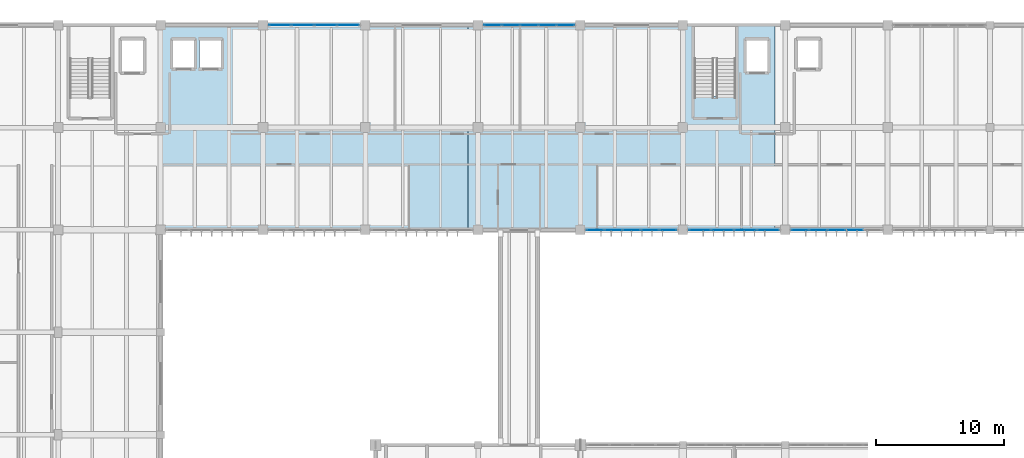
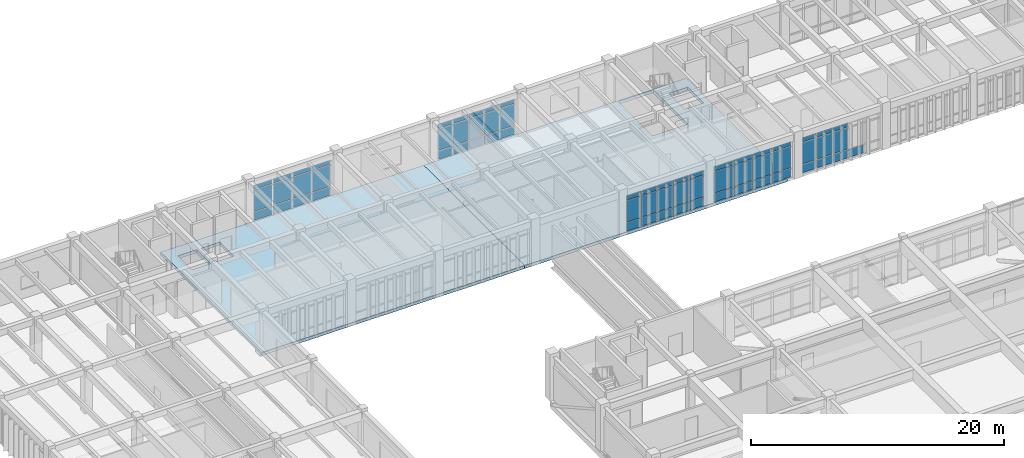
# One storey, part 41 of 79: 64 plates, 2 slabs, 5 elements without a shape of their own.
"""IFC4 building model written with IfcOpenShell, lengths in metres."""

from ifc_helpers import new_model, si_unit, direction, frame, origin, origin_2d, place, context, subcontext, project, spatial, polyline, rectangle, outline, extrude, material, layer, layer_set, type_object, element, aggregate, save


model = new_model("IFC4")

# Units and contexts
model_context = context("Model", 3, precision=1e-05, world=origin(), true_north=direction((0.0, 1.0)))
body_context = subcontext(model_context, "Body", "Model", "MODEL_VIEW")
ifc_project = project(units=[si_unit("LENGTHUNIT", "METRE"), si_unit("AREAUNIT", "SQUARE_METRE"), si_unit("VOLUMEUNIT", "CUBIC_METRE"), si_unit("PLANEANGLEUNIT", "RADIAN"), si_unit("MASSUNIT", "GRAM", prefix="KILO")], contexts=[model_context])

# Site, building, storey
site_placement = place(None, origin())
site = spatial("IfcSite", under=ifc_project, at=site_placement, CompositionType="ELEMENT")
building_placement = place(site_placement, origin())
building = spatial("IfcBuilding", under=site, at=building_placement, Name="Tlaxcora Railside Police Headquarters", CompositionType="ELEMENT")
storey_placement = place(building_placement, frame((0.0, 0.0, 9.0)))
storey = spatial("IfcBuildingStorey", under=building, at=storey_placement, Name="L02", CompositionType="ELEMENT", Elevation=9.0)

# Curtain wall, plates
ifc_material_1 = material(Name="Thermally broken low-E insulated glazing", Category="glass")
curtain_wall_type_1 = type_object("IfcCurtainWallType", Name="Unitised Curtain Wall Assembly CW-23", PredefinedType="NOTDEFINED", material=ifc_material_1)
curtain_wall_1_placement = place(storey_placement, origin())
curtain_wall_1 = element("IfcCurtainWall", 1, at=curtain_wall_1_placement, inside=storey, type_object=curtain_wall_type_1, Name="V5 L02 curtain wall 56", PredefinedType="NOTDEFINED")
ifc_layer_1 = layer(ifc_material_1, 0.0400390625, Name="Thermally broken low-E insulated glazing")
ifc_layer_set_1 = layer_set([ifc_layer_1], Name="Thermally broken low-E insulated glazing")
plate_type_1 = type_object("IfcPlateType", Name="Curtain Wall Infill Panel CW-17", PredefinedType="CURTAIN_PANEL", material=ifc_layer_set_1)
plate_1_placement = place(storey_placement, frame((63.159912109375, 76.800048828125, 0.080078125), z_axis=(0.0, 0.0, 1.0), x_axis=(1.0, 0.0, 0.0)))
plate_1 = element("IfcPlate", 2, at=plate_1_placement, type_object=plate_type_1, Name="CW panel 1.1", PredefinedType="CURTAIN_PANEL", context=body_context, shape_type="SweptSolid", body=[
    extrude(rectangle(XDim=1.31005859375, YDim=0.0400390625, at=origin_2d()), origin(), (0.0, 0.0, 1.0), 0.780029296875),
])
plate_2_placement = place(storey_placement, frame((63.159912109375, 76.800048828125, 0.93994140625), z_axis=(0.0, 0.0, 1.0), x_axis=(1.0, 0.0, 0.0)))
plate_2 = element("IfcPlate", 3, at=plate_2_placement, type_object=plate_type_1, Name="CW panel 1.2", PredefinedType="CURTAIN_PANEL", context=body_context, shape_type="SweptSolid", body=[
    extrude(rectangle(XDim=1.31005859375, YDim=0.0400390625, at=origin_2d()), origin(), (0.0, 0.0, 1.0), 2.0400390625),
])
plate_3_placement = place(storey_placement, frame((63.159912109375, 76.800048828125, 3.06005859375), z_axis=(0.0, 0.0, 1.0), x_axis=(1.0, 0.0, 0.0)))
plate_3 = element("IfcPlate", 4, at=plate_3_placement, type_object=plate_type_1, Name="CW panel 1.3", PredefinedType="CURTAIN_PANEL", context=body_context, shape_type="SweptSolid", body=[
    extrude(rectangle(XDim=1.31005859375, YDim=0.0400390625, at=origin_2d()), origin(), (0.0, 0.0, 1.0), 0.409912109375),
])
plate_4_placement = place(storey_placement, frame((64.570068359375, 76.800048828125, 0.080078125), z_axis=(0.0, 0.0, 1.0), x_axis=(1.0, 0.0, 0.0)))
plate_4 = element("IfcPlate", 5, at=plate_4_placement, type_object=plate_type_1, Name="CW panel 2.1", PredefinedType="CURTAIN_PANEL", context=body_context, shape_type="SweptSolid", body=[
    extrude(rectangle(XDim=1.35009765625, YDim=0.0400390625, at=origin_2d()), origin(), (0.0, 0.0, 1.0), 0.780029296875),
])
plate_5_placement = place(storey_placement, frame((64.570068359375, 76.800048828125, 0.93994140625), z_axis=(0.0, 0.0, 1.0), x_axis=(1.0, 0.0, 0.0)))
plate_5 = element("IfcPlate", 6, at=plate_5_placement, type_object=plate_type_1, Name="CW panel 2.2", PredefinedType="CURTAIN_PANEL", context=body_context, shape_type="SweptSolid", body=[
    extrude(rectangle(XDim=1.35009765625, YDim=0.0400390625, at=origin_2d()), origin(), (0.0, 0.0, 1.0), 2.0400390625),
])
plate_6_placement = place(storey_placement, frame((64.570068359375, 76.800048828125, 3.06005859375), z_axis=(0.0, 0.0, 1.0), x_axis=(1.0, 0.0, 0.0)))
plate_6 = element("IfcPlate", 7, at=plate_6_placement, type_object=plate_type_1, Name="CW panel 2.3", PredefinedType="CURTAIN_PANEL", context=body_context, shape_type="SweptSolid", body=[
    extrude(rectangle(XDim=1.35009765625, YDim=0.0400390625, at=origin_2d()), origin(), (0.0, 0.0, 1.0), 0.409912109375),
])
plate_7_placement = place(storey_placement, frame((66.0, 76.800048828125, 0.080078125), z_axis=(0.0, 0.0, 1.0), x_axis=(1.0, 0.0, 0.0)))
plate_7 = element("IfcPlate", 8, at=plate_7_placement, type_object=plate_type_1, Name="CW panel 3.1", PredefinedType="CURTAIN_PANEL", context=body_context, shape_type="SweptSolid", body=[
    extrude(rectangle(XDim=1.35009765625, YDim=0.0400390625, at=origin_2d()), origin(), (0.0, 0.0, 1.0), 0.780029296875),
])
plate_8_placement = place(storey_placement, frame((66.0, 76.800048828125, 0.93994140625), z_axis=(0.0, 0.0, 1.0), x_axis=(1.0, 0.0, 0.0)))
plate_8 = element("IfcPlate", 9, at=plate_8_placement, type_object=plate_type_1, Name="CW panel 3.2", PredefinedType="CURTAIN_PANEL", context=body_context, shape_type="SweptSolid", body=[
    extrude(rectangle(XDim=1.35009765625, YDim=0.0400390625, at=origin_2d()), origin(), (0.0, 0.0, 1.0), 2.0400390625),
])
plate_9_placement = place(storey_placement, frame((66.0, 76.800048828125, 3.06005859375), z_axis=(0.0, 0.0, 1.0), x_axis=(1.0, 0.0, 0.0)))
plate_9 = element("IfcPlate", 10, at=plate_9_placement, type_object=plate_type_1, Name="CW panel 3.3", PredefinedType="CURTAIN_PANEL", context=body_context, shape_type="SweptSolid", body=[
    extrude(rectangle(XDim=1.35009765625, YDim=0.0400390625, at=origin_2d()), origin(), (0.0, 0.0, 1.0), 0.409912109375),
])
plate_10_placement = place(storey_placement, frame((67.429931640625, 76.800048828125, 0.080078125), z_axis=(0.0, 0.0, 1.0), x_axis=(1.0, 0.0, 0.0)))
plate_10 = element("IfcPlate", 11, at=plate_10_placement, type_object=plate_type_1, Name="CW panel 4.1", PredefinedType="CURTAIN_PANEL", context=body_context, shape_type="SweptSolid", body=[
    extrude(rectangle(XDim=1.35009765625, YDim=0.0400390625, at=origin_2d()), origin(), (0.0, 0.0, 1.0), 0.780029296875),
])
plate_11_placement = place(storey_placement, frame((67.429931640625, 76.800048828125, 0.93994140625), z_axis=(0.0, 0.0, 1.0), x_axis=(1.0, 0.0, 0.0)))
plate_11 = element("IfcPlate", 12, at=plate_11_placement, type_object=plate_type_1, Name="CW panel 4.2", PredefinedType="CURTAIN_PANEL", context=body_context, shape_type="SweptSolid", body=[
    extrude(rectangle(XDim=1.35009765625, YDim=0.0400390625, at=origin_2d()), origin(), (0.0, 0.0, 1.0), 2.0400390625),
])
plate_12_placement = place(storey_placement, frame((67.429931640625, 76.800048828125, 3.06005859375), z_axis=(0.0, 0.0, 1.0), x_axis=(1.0, 0.0, 0.0)))
plate_12 = element("IfcPlate", 13, at=plate_12_placement, type_object=plate_type_1, Name="CW panel 4.3", PredefinedType="CURTAIN_PANEL", context=body_context, shape_type="SweptSolid", body=[
    extrude(rectangle(XDim=1.35009765625, YDim=0.0400390625, at=origin_2d()), origin(), (0.0, 0.0, 1.0), 0.409912109375),
])
plate_13_placement = place(storey_placement, frame((68.840087890625, 76.800048828125, 0.080078125), z_axis=(0.0, 0.0, 1.0), x_axis=(1.0, 0.0, 0.0)))
plate_13 = element("IfcPlate", 14, at=plate_13_placement, type_object=plate_type_1, Name="CW panel 5.1", PredefinedType="CURTAIN_PANEL", context=body_context, shape_type="SweptSolid", body=[
    extrude(rectangle(XDim=1.31005859375, YDim=0.0400390625, at=origin_2d()), origin(), (0.0, 0.0, 1.0), 0.780029296875),
])
plate_14_placement = place(storey_placement, frame((68.840087890625, 76.800048828125, 0.93994140625), z_axis=(0.0, 0.0, 1.0), x_axis=(1.0, 0.0, 0.0)))
plate_14 = element("IfcPlate", 15, at=plate_14_placement, type_object=plate_type_1, Name="CW panel 5.2", PredefinedType="CURTAIN_PANEL", context=body_context, shape_type="SweptSolid", body=[
    extrude(rectangle(XDim=1.31005859375, YDim=0.0400390625, at=origin_2d()), origin(), (0.0, 0.0, 1.0), 2.0400390625),
])
plate_15_placement = place(storey_placement, frame((68.840087890625, 76.800048828125, 3.06005859375), z_axis=(0.0, 0.0, 1.0), x_axis=(1.0, 0.0, 0.0)))
plate_15 = element("IfcPlate", 16, at=plate_15_placement, type_object=plate_type_1, Name="CW panel 5.3", PredefinedType="CURTAIN_PANEL", context=body_context, shape_type="SweptSolid", body=[
    extrude(rectangle(XDim=1.31005859375, YDim=0.0400390625, at=origin_2d()), origin(), (0.0, 0.0, 1.0), 0.409912109375),
])
aggregate(curtain_wall_1, [plate_1, plate_2, plate_3, plate_4, plate_5, plate_6, plate_7, plate_8, plate_9, plate_10, plate_11, plate_12, plate_13, plate_14, plate_15])

curtain_wall_type_2 = type_object("IfcCurtainWallType", Name="Unitised Curtain Wall Assembly CW-15", PredefinedType="NOTDEFINED", material=ifc_material_1)
curtain_wall_2_placement = place(storey_placement, origin())
curtain_wall_2 = element("IfcCurtainWall", 17, at=curtain_wall_2_placement, inside=storey, type_object=curtain_wall_type_2, Name="V5 L02 curtain wall 58", PredefinedType="NOTDEFINED")
ifc_layer_2 = layer(ifc_material_1, 0.031982421875, Name="Thermally broken low-E insulated glazing")
ifc_layer_set_2 = layer_set([ifc_layer_2], Name="Thermally broken low-E insulated glazing")
plate_type_2 = type_object("IfcPlateType", Name="Curtain Wall Infill Panel CW-41", PredefinedType="CURTAIN_PANEL", material=ifc_layer_set_2)
plate_16_placement = place(storey_placement, frame((79.15869140625, 76.800048828125, 0.074951171875), z_axis=(0.0, 0.0, 1.0), x_axis=(1.0, 0.0, 0.0)))
plate_16 = element("IfcPlate", 18, at=plate_16_placement, type_object=plate_type_2, Name="CW panel 1.1", PredefinedType="CURTAIN_PANEL", context=body_context, shape_type="SweptSolid", body=[
    extrude(rectangle(XDim=1.3173828125, YDim=0.031982421875, at=origin_2d()), origin(), (0.0, 0.0, 1.0), 0.78759765625),
])
plate_17_placement = place(storey_placement, frame((79.15869140625, 76.800048828125, 0.9375), z_axis=(0.0, 0.0, 1.0), x_axis=(1.0, 0.0, 0.0)))
plate_17 = element("IfcPlate", 19, at=plate_17_placement, type_object=plate_type_2, Name="CW panel 1.2", PredefinedType="CURTAIN_PANEL", context=body_context, shape_type="SweptSolid", body=[
    extrude(rectangle(XDim=1.3173828125, YDim=0.031982421875, at=origin_2d()), origin(), (0.0, 0.0, 1.0), 2.044921875),
])
plate_18_placement = place(storey_placement, frame((79.15869140625, 76.800048828125, 3.0576171875), z_axis=(0.0, 0.0, 1.0), x_axis=(1.0, 0.0, 0.0)))
plate_18 = element("IfcPlate", 20, at=plate_18_placement, type_object=plate_type_2, Name="CW panel 1.3", PredefinedType="CURTAIN_PANEL", context=body_context, shape_type="SweptSolid", body=[
    extrude(rectangle(XDim=1.3173828125, YDim=0.031982421875, at=origin_2d()), origin(), (0.0, 0.0, 1.0), 0.41748046875),
])
plate_19_placement = place(storey_placement, frame((80.570068359375, 76.800048828125, 0.074951171875), z_axis=(0.0, 0.0, 1.0), x_axis=(1.0, 0.0, 0.0)))
plate_19 = element("IfcPlate", 21, at=plate_19_placement, type_object=plate_type_2, Name="CW panel 2.1", PredefinedType="CURTAIN_PANEL", context=body_context, shape_type="SweptSolid", body=[
    extrude(rectangle(XDim=1.35498046875, YDim=0.031982421875, at=origin_2d()), origin(), (0.0, 0.0, 1.0), 0.78759765625),
])
plate_20_placement = place(storey_placement, frame((80.570068359375, 76.800048828125, 0.9375), z_axis=(0.0, 0.0, 1.0), x_axis=(1.0, 0.0, 0.0)))
plate_20 = element("IfcPlate", 22, at=plate_20_placement, type_object=plate_type_2, Name="CW panel 2.2", PredefinedType="CURTAIN_PANEL", context=body_context, shape_type="SweptSolid", body=[
    extrude(rectangle(XDim=1.35498046875, YDim=0.031982421875, at=origin_2d()), origin(), (0.0, 0.0, 1.0), 2.044921875),
])
plate_21_placement = place(storey_placement, frame((80.570068359375, 76.800048828125, 3.0576171875), z_axis=(0.0, 0.0, 1.0), x_axis=(1.0, 0.0, 0.0)))
plate_21 = element("IfcPlate", 23, at=plate_21_placement, type_object=plate_type_2, Name="CW panel 2.3", PredefinedType="CURTAIN_PANEL", context=body_context, shape_type="SweptSolid", body=[
    extrude(rectangle(XDim=1.35498046875, YDim=0.031982421875, at=origin_2d()), origin(), (0.0, 0.0, 1.0), 0.41748046875),
])
plate_22_placement = place(storey_placement, frame((82.0, 76.800048828125, 0.074951171875), z_axis=(0.0, 0.0, 1.0), x_axis=(1.0, 0.0, 0.0)))
plate_22 = element("IfcPlate", 24, at=plate_22_placement, type_object=plate_type_2, Name="CW panel 3.1", PredefinedType="CURTAIN_PANEL", context=body_context, shape_type="SweptSolid", body=[
    extrude(rectangle(XDim=1.35498046875, YDim=0.031982421875, at=origin_2d()), origin(), (0.0, 0.0, 1.0), 0.78759765625),
])
plate_23_placement = place(storey_placement, frame((82.0, 76.800048828125, 0.9375), z_axis=(0.0, 0.0, 1.0), x_axis=(1.0, 0.0, 0.0)))
plate_23 = element("IfcPlate", 25, at=plate_23_placement, type_object=plate_type_2, Name="CW panel 3.2", PredefinedType="CURTAIN_PANEL", context=body_context, shape_type="SweptSolid", body=[
    extrude(rectangle(XDim=1.35498046875, YDim=0.031982421875, at=origin_2d()), origin(), (0.0, 0.0, 1.0), 2.044921875),
])
plate_24_placement = place(storey_placement, frame((82.0, 76.800048828125, 3.0576171875), z_axis=(0.0, 0.0, 1.0), x_axis=(1.0, 0.0, 0.0)))
plate_24 = element("IfcPlate", 26, at=plate_24_placement, type_object=plate_type_2, Name="CW panel 3.3", PredefinedType="CURTAIN_PANEL", context=body_context, shape_type="SweptSolid", body=[
    extrude(rectangle(XDim=1.35498046875, YDim=0.031982421875, at=origin_2d()), origin(), (0.0, 0.0, 1.0), 0.41748046875),
])
plate_25_placement = place(storey_placement, frame((83.429931640625, 76.800048828125, 0.074951171875), z_axis=(0.0, 0.0, 1.0), x_axis=(1.0, 0.0, 0.0)))
plate_25 = element("IfcPlate", 27, at=plate_25_placement, type_object=plate_type_2, Name="CW panel 4.1", PredefinedType="CURTAIN_PANEL", context=body_context, shape_type="SweptSolid", body=[
    extrude(rectangle(XDim=1.35498046875, YDim=0.031982421875, at=origin_2d()), origin(), (0.0, 0.0, 1.0), 0.78759765625),
])
aggregate(curtain_wall_2, [plate_16, plate_17, plate_18, plate_19, plate_20, plate_21, plate_22, plate_23, plate_24, plate_25])

curtain_wall_3_placement = place(storey_placement, origin())
curtain_wall_3 = element("IfcCurtainWall", 28, at=curtain_wall_3_placement, inside=storey, type_object=curtain_wall_type_2, Name="V5 L02 curtain wall 62", PredefinedType="NOTDEFINED")
plate_26_placement = place(storey_placement, frame((60.84130859375, 92.800048828125, 0.074951171875), z_axis=(0.0, 0.0, 1.0), x_axis=(-1.0, 0.0, 0.0)))
plate_26 = element("IfcPlate", 29, at=plate_26_placement, type_object=plate_type_2, Name="CW panel 1.1", PredefinedType="CURTAIN_PANEL", context=body_context, shape_type="SweptSolid", body=[
    extrude(rectangle(XDim=1.3173828125, YDim=0.031982421875, at=origin_2d()), origin(), (0.0, 0.0, 1.0), 0.78759765625),
])
plate_27_placement = place(storey_placement, frame((60.84130859375, 92.800048828125, 0.9375), z_axis=(0.0, 0.0, 1.0), x_axis=(-1.0, 0.0, 0.0)))
plate_27 = element("IfcPlate", 30, at=plate_27_placement, type_object=plate_type_2, Name="CW panel 1.2", PredefinedType="CURTAIN_PANEL", context=body_context, shape_type="SweptSolid", body=[
    extrude(rectangle(XDim=1.3173828125, YDim=0.031982421875, at=origin_2d()), origin(), (0.0, 0.0, 1.0), 2.044921875),
])
plate_28_placement = place(storey_placement, frame((60.84130859375, 92.800048828125, 3.0576171875), z_axis=(0.0, 0.0, 1.0), x_axis=(-1.0, 0.0, 0.0)))
plate_28 = element("IfcPlate", 31, at=plate_28_placement, type_object=plate_type_2, Name="CW panel 1.3", PredefinedType="CURTAIN_PANEL", context=body_context, shape_type="SweptSolid", body=[
    extrude(rectangle(XDim=1.3173828125, YDim=0.031982421875, at=origin_2d()), origin(), (0.0, 0.0, 1.0), 0.41748046875),
])
plate_29_placement = place(storey_placement, frame((59.429931640625, 92.800048828125, 0.074951171875), z_axis=(0.0, 0.0, 1.0), x_axis=(-1.0, 0.0, 0.0)))
plate_29 = element("IfcPlate", 32, at=plate_29_placement, type_object=plate_type_2, Name="CW panel 2.1", PredefinedType="CURTAIN_PANEL", context=body_context, shape_type="SweptSolid", body=[
    extrude(rectangle(XDim=1.35498046875, YDim=0.031982421875, at=origin_2d()), origin(), (0.0, 0.0, 1.0), 0.78759765625),
])
plate_30_placement = place(storey_placement, frame((59.429931640625, 92.800048828125, 0.9375), z_axis=(0.0, 0.0, 1.0), x_axis=(-1.0, 0.0, 0.0)))
plate_30 = element("IfcPlate", 33, at=plate_30_placement, type_object=plate_type_2, Name="CW panel 2.2", PredefinedType="CURTAIN_PANEL", context=body_context, shape_type="SweptSolid", body=[
    extrude(rectangle(XDim=1.35498046875, YDim=0.031982421875, at=origin_2d()), origin(), (0.0, 0.0, 1.0), 2.044921875),
])
plate_31_placement = place(storey_placement, frame((59.429931640625, 92.800048828125, 3.0576171875), z_axis=(0.0, 0.0, 1.0), x_axis=(-1.0, 0.0, 0.0)))
plate_31 = element("IfcPlate", 34, at=plate_31_placement, type_object=plate_type_2, Name="CW panel 2.3", PredefinedType="CURTAIN_PANEL", context=body_context, shape_type="SweptSolid", body=[
    extrude(rectangle(XDim=1.35498046875, YDim=0.031982421875, at=origin_2d()), origin(), (0.0, 0.0, 1.0), 0.41748046875),
])
plate_32_placement = place(storey_placement, frame((58.0, 92.800048828125, 0.074951171875), z_axis=(0.0, 0.0, 1.0), x_axis=(-1.0, 0.0, 0.0)))
plate_32 = element("IfcPlate", 35, at=plate_32_placement, type_object=plate_type_2, Name="CW panel 3.1", PredefinedType="CURTAIN_PANEL", context=body_context, shape_type="SweptSolid", body=[
    extrude(rectangle(XDim=1.35498046875, YDim=0.031982421875, at=origin_2d()), origin(), (0.0, 0.0, 1.0), 0.78759765625),
])
plate_33_placement = place(storey_placement, frame((58.0, 92.800048828125, 0.9375), z_axis=(0.0, 0.0, 1.0), x_axis=(-1.0, 0.0, 0.0)))
plate_33 = element("IfcPlate", 36, at=plate_33_placement, type_object=plate_type_2, Name="CW panel 3.2", PredefinedType="CURTAIN_PANEL", context=body_context, shape_type="SweptSolid", body=[
    extrude(rectangle(XDim=1.35498046875, YDim=0.031982421875, at=origin_2d()), origin(), (0.0, 0.0, 1.0), 2.044921875),
])
plate_34_placement = place(storey_placement, frame((58.0, 92.800048828125, 3.0576171875), z_axis=(0.0, 0.0, 1.0), x_axis=(-1.0, 0.0, 0.0)))
plate_34 = element("IfcPlate", 37, at=plate_34_placement, type_object=plate_type_2, Name="CW panel 3.3", PredefinedType="CURTAIN_PANEL", context=body_context, shape_type="SweptSolid", body=[
    extrude(rectangle(XDim=1.35498046875, YDim=0.031982421875, at=origin_2d()), origin(), (0.0, 0.0, 1.0), 0.41748046875),
])
plate_35_placement = place(storey_placement, frame((56.570068359375, 92.800048828125, 0.074951171875), z_axis=(0.0, 0.0, 1.0), x_axis=(-1.0, 0.0, 0.0)))
plate_35 = element("IfcPlate", 38, at=plate_35_placement, type_object=plate_type_2, Name="CW panel 4.1", PredefinedType="CURTAIN_PANEL", context=body_context, shape_type="SweptSolid", body=[
    extrude(rectangle(XDim=1.35498046875, YDim=0.031982421875, at=origin_2d()), origin(), (0.0, 0.0, 1.0), 0.78759765625),
])
plate_36_placement = place(storey_placement, frame((56.570068359375, 92.800048828125, 0.9375), z_axis=(0.0, 0.0, 1.0), x_axis=(-1.0, 0.0, 0.0)))
plate_36 = element("IfcPlate", 39, at=plate_36_placement, type_object=plate_type_2, Name="CW panel 4.2", PredefinedType="CURTAIN_PANEL", context=body_context, shape_type="SweptSolid", body=[
    extrude(rectangle(XDim=1.35498046875, YDim=0.031982421875, at=origin_2d()), origin(), (0.0, 0.0, 1.0), 2.044921875),
])
plate_37_placement = place(storey_placement, frame((56.570068359375, 92.800048828125, 3.0576171875), z_axis=(0.0, 0.0, 1.0), x_axis=(-1.0, 0.0, 0.0)))
plate_37 = element("IfcPlate", 40, at=plate_37_placement, type_object=plate_type_2, Name="CW panel 4.3", PredefinedType="CURTAIN_PANEL", context=body_context, shape_type="SweptSolid", body=[
    extrude(rectangle(XDim=1.35498046875, YDim=0.031982421875, at=origin_2d()), origin(), (0.0, 0.0, 1.0), 0.41748046875),
])
plate_38_placement = place(storey_placement, frame((55.15869140625, 92.800048828125, 0.074951171875), z_axis=(0.0, 0.0, 1.0), x_axis=(-1.0, 0.0, 0.0)))
plate_38 = element("IfcPlate", 41, at=plate_38_placement, type_object=plate_type_2, Name="CW panel 5.1", PredefinedType="CURTAIN_PANEL", context=body_context, shape_type="SweptSolid", body=[
    extrude(rectangle(XDim=1.3173828125, YDim=0.031982421875, at=origin_2d()), origin(), (0.0, 0.0, 1.0), 0.78759765625),
])
plate_39_placement = place(storey_placement, frame((55.15869140625, 92.800048828125, 0.9375), z_axis=(0.0, 0.0, 1.0), x_axis=(-1.0, 0.0, 0.0)))
plate_39 = element("IfcPlate", 42, at=plate_39_placement, type_object=plate_type_2, Name="CW panel 5.2", PredefinedType="CURTAIN_PANEL", context=body_context, shape_type="SweptSolid", body=[
    extrude(rectangle(XDim=1.3173828125, YDim=0.031982421875, at=origin_2d()), origin(), (0.0, 0.0, 1.0), 2.044921875),
])
plate_40_placement = place(storey_placement, frame((55.15869140625, 92.800048828125, 3.0576171875), z_axis=(0.0, 0.0, 1.0), x_axis=(-1.0, 0.0, 0.0)))
plate_40 = element("IfcPlate", 43, at=plate_40_placement, type_object=plate_type_2, Name="CW panel 5.3", PredefinedType="CURTAIN_PANEL", context=body_context, shape_type="SweptSolid", body=[
    extrude(rectangle(XDim=1.3173828125, YDim=0.031982421875, at=origin_2d()), origin(), (0.0, 0.0, 1.0), 0.41748046875),
])
aggregate(curtain_wall_3, [plate_26, plate_27, plate_28, plate_29, plate_30, plate_31, plate_32, plate_33, plate_34, plate_35, plate_36, plate_37, plate_38, plate_39, plate_40])

curtain_wall_type_3 = type_object("IfcCurtainWallType", Name="Unitised Curtain Wall Assembly CW-83", PredefinedType="NOTDEFINED", material=ifc_material_1)
curtain_wall_4_placement = place(storey_placement, origin())
curtain_wall_4 = element("IfcCurtainWall", 44, at=curtain_wall_4_placement, inside=storey, type_object=curtain_wall_type_3, Name="V5 L02 curtain wall 63", PredefinedType="NOTDEFINED")
ifc_layer_3 = layer(ifc_material_1, 0.035888671875, Name="Thermally broken low-E insulated glazing")
ifc_layer_set_3 = layer_set([ifc_layer_3], Name="Thermally broken low-E insulated glazing")
plate_type_3 = type_object("IfcPlateType", Name="Curtain Wall Infill Panel CW-72", PredefinedType="CURTAIN_PANEL", material=ifc_layer_set_3)
plate_41_placement = place(storey_placement, frame((43.861328125, 92.800048828125, 0.080078125), z_axis=(0.0, 0.0, 1.0), x_axis=(-1.0, 0.0, 0.0)))
plate_41 = element("IfcPlate", 45, at=plate_41_placement, type_object=plate_type_3, Name="CW panel 1.1", PredefinedType="CURTAIN_PANEL", context=body_context, shape_type="SweptSolid", body=[
    extrude(rectangle(XDim=1.66748046875, YDim=0.035888671875, at=origin_2d()), origin(), (0.0, 0.0, 1.0), 0.780029296875),
])
plate_42_placement = place(storey_placement, frame((43.861328125, 92.800048828125, 0.93994140625), z_axis=(0.0, 0.0, 1.0), x_axis=(-1.0, 0.0, 0.0)))
plate_42 = element("IfcPlate", 46, at=plate_42_placement, type_object=plate_type_3, Name="CW panel 1.2", PredefinedType="CURTAIN_PANEL", context=body_context, shape_type="SweptSolid", body=[
    extrude(rectangle(XDim=1.66748046875, YDim=0.035888671875, at=origin_2d()), origin(), (0.0, 0.0, 1.0), 2.0400390625),
])
plate_43_placement = place(storey_placement, frame((43.861328125, 92.800048828125, 3.06005859375), z_axis=(0.0, 0.0, 1.0), x_axis=(-1.0, 0.0, 0.0)))
plate_43 = element("IfcPlate", 47, at=plate_43_placement, type_object=plate_type_3, Name="CW panel 1.3", PredefinedType="CURTAIN_PANEL", context=body_context, shape_type="SweptSolid", body=[
    extrude(rectangle(XDim=1.66748046875, YDim=0.035888671875, at=origin_2d()), origin(), (0.0, 0.0, 1.0), 0.409912109375),
])
plate_44_placement = place(storey_placement, frame((42.09375, 92.800048828125, 0.080078125), z_axis=(0.0, 0.0, 1.0), x_axis=(-1.0, 0.0, 0.0)))
plate_44 = element("IfcPlate", 48, at=plate_44_placement, type_object=plate_type_3, Name="CW panel 2.1", PredefinedType="CURTAIN_PANEL", context=body_context, shape_type="SweptSolid", body=[
    extrude(rectangle(XDim=1.70751953125, YDim=0.035888671875, at=origin_2d()), origin(), (0.0, 0.0, 1.0), 0.780029296875),
])
plate_45_placement = place(storey_placement, frame((42.09375, 92.800048828125, 0.93994140625), z_axis=(0.0, 0.0, 1.0), x_axis=(-1.0, 0.0, 0.0)))
plate_45 = element("IfcPlate", 49, at=plate_45_placement, type_object=plate_type_3, Name="CW panel 2.2", PredefinedType="CURTAIN_PANEL", context=body_context, shape_type="SweptSolid", body=[
    extrude(rectangle(XDim=1.70751953125, YDim=0.035888671875, at=origin_2d()), origin(), (0.0, 0.0, 1.0), 2.0400390625),
])
plate_46_placement = place(storey_placement, frame((42.09375, 92.800048828125, 3.06005859375), z_axis=(0.0, 0.0, 1.0), x_axis=(-1.0, 0.0, 0.0)))
plate_46 = element("IfcPlate", 50, at=plate_46_placement, type_object=plate_type_3, Name="CW panel 2.3", PredefinedType="CURTAIN_PANEL", context=body_context, shape_type="SweptSolid", body=[
    extrude(rectangle(XDim=1.70751953125, YDim=0.035888671875, at=origin_2d()), origin(), (0.0, 0.0, 1.0), 0.409912109375),
])
plate_47_placement = place(storey_placement, frame((40.30615234375, 92.800048828125, 0.080078125), z_axis=(0.0, 0.0, 1.0), x_axis=(-1.0, 0.0, 0.0)))
plate_47 = element("IfcPlate", 51, at=plate_47_placement, type_object=plate_type_3, Name="CW panel 3.1", PredefinedType="CURTAIN_PANEL", context=body_context, shape_type="SweptSolid", body=[
    extrude(rectangle(XDim=1.70751953125, YDim=0.035888671875, at=origin_2d()), origin(), (0.0, 0.0, 1.0), 0.780029296875),
])
plate_48_placement = place(storey_placement, frame((40.30615234375, 92.800048828125, 0.93994140625), z_axis=(0.0, 0.0, 1.0), x_axis=(-1.0, 0.0, 0.0)))
plate_48 = element("IfcPlate", 52, at=plate_48_placement, type_object=plate_type_3, Name="CW panel 3.2", PredefinedType="CURTAIN_PANEL", context=body_context, shape_type="SweptSolid", body=[
    extrude(rectangle(XDim=1.70751953125, YDim=0.035888671875, at=origin_2d()), origin(), (0.0, 0.0, 1.0), 2.0400390625),
])
plate_49_placement = place(storey_placement, frame((40.30615234375, 92.800048828125, 3.06005859375), z_axis=(0.0, 0.0, 1.0), x_axis=(-1.0, 0.0, 0.0)))
plate_49 = element("IfcPlate", 53, at=plate_49_placement, type_object=plate_type_3, Name="CW panel 3.3", PredefinedType="CURTAIN_PANEL", context=body_context, shape_type="SweptSolid", body=[
    extrude(rectangle(XDim=1.70751953125, YDim=0.035888671875, at=origin_2d()), origin(), (0.0, 0.0, 1.0), 0.409912109375),
])
plate_50_placement = place(storey_placement, frame((38.538818359375, 92.800048828125, 0.080078125), z_axis=(0.0, 0.0, 1.0), x_axis=(-1.0, 0.0, 0.0)))
plate_50 = element("IfcPlate", 54, at=plate_50_placement, type_object=plate_type_3, Name="CW panel 4.1", PredefinedType="CURTAIN_PANEL", context=body_context, shape_type="SweptSolid", body=[
    extrude(rectangle(XDim=1.66748046875, YDim=0.035888671875, at=origin_2d()), origin(), (0.0, 0.0, 1.0), 0.780029296875),
])
plate_51_placement = place(storey_placement, frame((38.538818359375, 92.800048828125, 0.93994140625), z_axis=(0.0, 0.0, 1.0), x_axis=(-1.0, 0.0, 0.0)))
plate_51 = element("IfcPlate", 55, at=plate_51_placement, type_object=plate_type_3, Name="CW panel 4.2", PredefinedType="CURTAIN_PANEL", context=body_context, shape_type="SweptSolid", body=[
    extrude(rectangle(XDim=1.66748046875, YDim=0.035888671875, at=origin_2d()), origin(), (0.0, 0.0, 1.0), 2.0400390625),
])
plate_52_placement = place(storey_placement, frame((38.538818359375, 92.800048828125, 3.06005859375), z_axis=(0.0, 0.0, 1.0), x_axis=(-1.0, 0.0, 0.0)))
plate_52 = element("IfcPlate", 56, at=plate_52_placement, type_object=plate_type_3, Name="CW panel 4.3", PredefinedType="CURTAIN_PANEL", context=body_context, shape_type="SweptSolid", body=[
    extrude(rectangle(XDim=1.66748046875, YDim=0.035888671875, at=origin_2d()), origin(), (0.0, 0.0, 1.0), 0.409912109375),
])
aggregate(curtain_wall_4, [plate_41, plate_42, plate_43, plate_44, plate_45, plate_46, plate_47, plate_48, plate_49, plate_50, plate_51, plate_52])

curtain_wall_type_4 = type_object("IfcCurtainWallType", Name="Unitised Curtain Wall Assembly CW-38", PredefinedType="NOTDEFINED", material=ifc_material_1)
curtain_wall_5_placement = place(storey_placement, origin())
curtain_wall_5 = element("IfcCurtainWall", 57, at=curtain_wall_5_placement, inside=storey, type_object=curtain_wall_type_4, Name="V5 L02 curtain wall 57", PredefinedType="NOTDEFINED")
ifc_layer_4 = layer(ifc_material_1, 0.028076171875, Name="Thermally broken low-E insulated glazing")
ifc_layer_set_4 = layer_set([ifc_layer_4], Name="Thermally broken low-E insulated glazing")
plate_type_4 = type_object("IfcPlateType", Name="Curtain Wall Infill Panel CW-92", PredefinedType="CURTAIN_PANEL", material=ifc_layer_set_4)
plate_53_placement = place(storey_placement, frame((71.33740234375, 76.800048828125, 0.074951171875), z_axis=(0.0, 0.0, 1.0), x_axis=(1.0, 0.0, 0.0)))
plate_53 = element("IfcPlate", 58, at=plate_53_placement, type_object=plate_type_4, Name="CW panel 1.1", PredefinedType="CURTAIN_PANEL", context=body_context, shape_type="SweptSolid", body=[
    extrude(rectangle(XDim=1.675048828125, YDim=0.028076171875, at=origin_2d()), origin(), (0.0, 0.0, 1.0), 0.78759765625),
])
plate_54_placement = place(storey_placement, frame((71.33740234375, 76.800048828125, 0.9375), z_axis=(0.0, 0.0, 1.0), x_axis=(1.0, 0.0, 0.0)))
plate_54 = element("IfcPlate", 59, at=plate_54_placement, type_object=plate_type_4, Name="CW panel 1.2", PredefinedType="CURTAIN_PANEL", context=body_context, shape_type="SweptSolid", body=[
    extrude(rectangle(XDim=1.675048828125, YDim=0.028076171875, at=origin_2d()), origin(), (0.0, 0.0, 1.0), 2.044921875),
])
plate_55_placement = place(storey_placement, frame((71.33740234375, 76.800048828125, 3.0576171875), z_axis=(0.0, 0.0, 1.0), x_axis=(1.0, 0.0, 0.0)))
plate_55 = element("IfcPlate", 60, at=plate_55_placement, type_object=plate_type_4, Name="CW panel 1.3", PredefinedType="CURTAIN_PANEL", context=body_context, shape_type="SweptSolid", body=[
    extrude(rectangle(XDim=1.675048828125, YDim=0.028076171875, at=origin_2d()), origin(), (0.0, 0.0, 1.0), 0.41748046875),
])
plate_56_placement = place(storey_placement, frame((73.106201171875, 76.800048828125, 0.074951171875), z_axis=(0.0, 0.0, 1.0), x_axis=(1.0, 0.0, 0.0)))
plate_56 = element("IfcPlate", 61, at=plate_56_placement, type_object=plate_type_4, Name="CW panel 2.1", PredefinedType="CURTAIN_PANEL", context=body_context, shape_type="SweptSolid", body=[
    extrude(rectangle(XDim=1.71240234375, YDim=0.028076171875, at=origin_2d()), origin(), (0.0, 0.0, 1.0), 0.78759765625),
])
plate_57_placement = place(storey_placement, frame((73.106201171875, 76.800048828125, 0.9375), z_axis=(0.0, 0.0, 1.0), x_axis=(1.0, 0.0, 0.0)))
plate_57 = element("IfcPlate", 62, at=plate_57_placement, type_object=plate_type_4, Name="CW panel 2.2", PredefinedType="CURTAIN_PANEL", context=body_context, shape_type="SweptSolid", body=[
    extrude(rectangle(XDim=1.71240234375, YDim=0.028076171875, at=origin_2d()), origin(), (0.0, 0.0, 1.0), 2.044921875),
])
plate_58_placement = place(storey_placement, frame((73.106201171875, 76.800048828125, 3.0576171875), z_axis=(0.0, 0.0, 1.0), x_axis=(1.0, 0.0, 0.0)))
plate_58 = element("IfcPlate", 63, at=plate_58_placement, type_object=plate_type_4, Name="CW panel 2.3", PredefinedType="CURTAIN_PANEL", context=body_context, shape_type="SweptSolid", body=[
    extrude(rectangle(XDim=1.71240234375, YDim=0.028076171875, at=origin_2d()), origin(), (0.0, 0.0, 1.0), 0.41748046875),
])
plate_59_placement = place(storey_placement, frame((74.893798828125, 76.800048828125, 0.074951171875), z_axis=(0.0, 0.0, 1.0), x_axis=(1.0, 0.0, 0.0)))
plate_59 = element("IfcPlate", 64, at=plate_59_placement, type_object=plate_type_4, Name="CW panel 3.1", PredefinedType="CURTAIN_PANEL", context=body_context, shape_type="SweptSolid", body=[
    extrude(rectangle(XDim=1.71240234375, YDim=0.028076171875, at=origin_2d()), origin(), (0.0, 0.0, 1.0), 0.78759765625),
])
plate_60_placement = place(storey_placement, frame((74.893798828125, 76.800048828125, 0.9375), z_axis=(0.0, 0.0, 1.0), x_axis=(1.0, 0.0, 0.0)))
plate_60 = element("IfcPlate", 65, at=plate_60_placement, type_object=plate_type_4, Name="CW panel 3.2", PredefinedType="CURTAIN_PANEL", context=body_context, shape_type="SweptSolid", body=[
    extrude(rectangle(XDim=1.71240234375, YDim=0.028076171875, at=origin_2d()), origin(), (0.0, 0.0, 1.0), 2.044921875),
])
plate_61_placement = place(storey_placement, frame((74.893798828125, 76.800048828125, 3.0576171875), z_axis=(0.0, 0.0, 1.0), x_axis=(1.0, 0.0, 0.0)))
plate_61 = element("IfcPlate", 66, at=plate_61_placement, type_object=plate_type_4, Name="CW panel 3.3", PredefinedType="CURTAIN_PANEL", context=body_context, shape_type="SweptSolid", body=[
    extrude(rectangle(XDim=1.71240234375, YDim=0.028076171875, at=origin_2d()), origin(), (0.0, 0.0, 1.0), 0.41748046875),
])
plate_62_placement = place(storey_placement, frame((76.66259765625, 76.800048828125, 0.074951171875), z_axis=(0.0, 0.0, 1.0), x_axis=(1.0, 0.0, 0.0)))
plate_62 = element("IfcPlate", 67, at=plate_62_placement, type_object=plate_type_4, Name="CW panel 4.1", PredefinedType="CURTAIN_PANEL", context=body_context, shape_type="SweptSolid", body=[
    extrude(rectangle(XDim=1.675048828125, YDim=0.028076171875, at=origin_2d()), origin(), (0.0, 0.0, 1.0), 0.78759765625),
])
plate_63_placement = place(storey_placement, frame((76.66259765625, 76.800048828125, 0.9375), z_axis=(0.0, 0.0, 1.0), x_axis=(1.0, 0.0, 0.0)))
plate_63 = element("IfcPlate", 68, at=plate_63_placement, type_object=plate_type_4, Name="CW panel 4.2", PredefinedType="CURTAIN_PANEL", context=body_context, shape_type="SweptSolid", body=[
    extrude(rectangle(XDim=1.675048828125, YDim=0.028076171875, at=origin_2d()), origin(), (0.0, 0.0, 1.0), 2.044921875),
])
plate_64_placement = place(storey_placement, frame((76.66259765625, 76.800048828125, 3.0576171875), z_axis=(0.0, 0.0, 1.0), x_axis=(1.0, 0.0, 0.0)))
plate_64 = element("IfcPlate", 69, at=plate_64_placement, type_object=plate_type_4, Name="CW panel 4.3", PredefinedType="CURTAIN_PANEL", context=body_context, shape_type="SweptSolid", body=[
    extrude(rectangle(XDim=1.675048828125, YDim=0.028076171875, at=origin_2d()), origin(), (0.0, 0.0, 1.0), 0.41748046875),
])
aggregate(curtain_wall_5, [plate_53, plate_54, plate_55, plate_56, plate_57, plate_58, plate_59, plate_60, plate_61, plate_62, plate_63, plate_64])

# Slabs
ifc_material_2 = material(Name="Concrete C35/45", Category="concrete")
ifc_layer_5 = layer(ifc_material_2, 0.2900390625, Name="Concrete C35/45")
ifc_layer_set_5 = layer_set([ifc_layer_5], Name="Concrete C35/45")
slab_type = type_object("IfcSlabType", Name="Suspended Floor Slab SL-86", PredefinedType="FLOOR", material=ifc_layer_set_5)
slab_1_placement = place(storey_placement, frame((0.0, 0.0, -0.2900390625)))
element("IfcSlab", 70, at=slab_1_placement, inside=storey, type_object=slab_type, Name="V5 L02 floor slab zone 2", PredefinedType="FLOOR", context=body_context, shape_type="SweptSolid", body=[
    extrude(outline(polyline([(53.199951171875, 92.800048828125), (29.199951171875, 92.800048828125), (29.199951171875, 76.800048828125), (53.199951171875, 76.800048828125), (53.199951171875, 92.800048828125)]), holes=[polyline([(31.85009765625, 89.449951171875), (30.14990234375, 89.449951171875), (30.14990234375, 91.64990234375), (31.85009765625, 91.64990234375), (31.85009765625, 89.449951171875)]), polyline([(32.25, 89.449951171875), (32.25, 91.64990234375), (33.949951171875, 91.64990234375), (33.949951171875, 89.449951171875), (32.25, 89.449951171875)])]), origin(), (0.0, 0.0, 1.0), 0.2900390625),
])
slab_2_placement = place(storey_placement, frame((0.0, 0.0, -0.2900390625)))
element("IfcSlab", 71, at=slab_2_placement, inside=storey, type_object=slab_type, Name="V5 L02 floor slab zone 3", PredefinedType="FLOOR", context=body_context, shape_type="SweptSolid", body=[
    extrude(outline(polyline([(77.199951171875, 92.800048828125), (53.199951171875, 92.800048828125), (53.199951171875, 76.800048828125), (77.199951171875, 76.800048828125), (77.199951171875, 92.800048828125)]), holes=[polyline([(70.909912109375, 92.68994140625), (74.110107421875, 92.68994140625), (74.110107421875, 87.25), (70.909912109375, 87.25), (70.909912109375, 92.68994140625)]), polyline([(76.64990234375, 91.64990234375), (76.64990234375, 89.14990234375), (74.949951171875, 89.14990234375), (74.949951171875, 91.64990234375), (76.64990234375, 91.64990234375)])]), origin(), (0.0, 0.0, 1.0), 0.2900390625),
])

save(model, "model.ifc")
